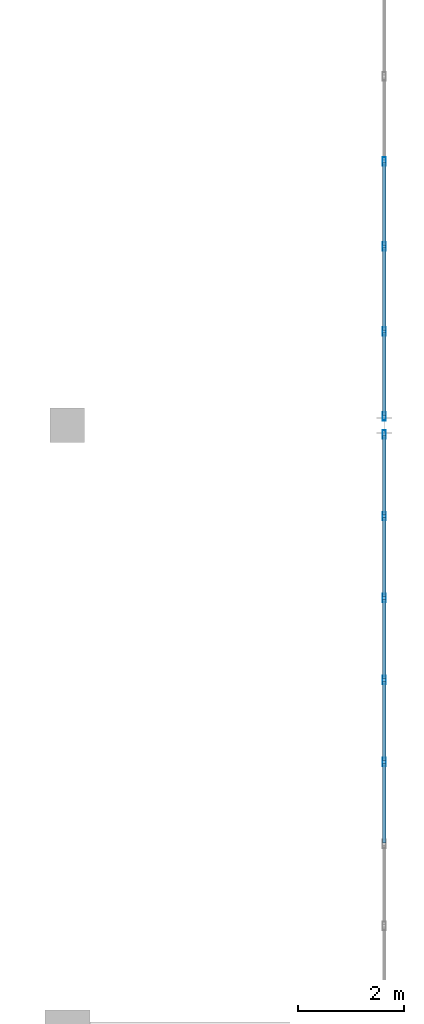
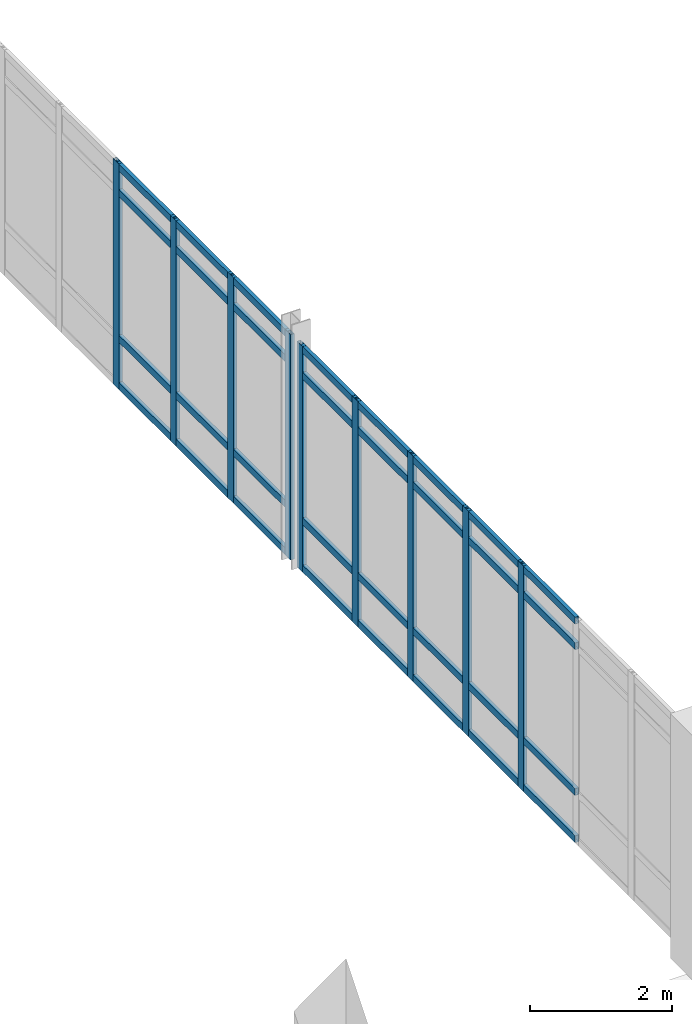
# One storey, part 113 of 161: 41 members, 2 elements without a shape of their own.
"""IFC4 building model written with IfcOpenShell, lengths in metres."""

from ifc_helpers import new_model, si_unit, direction, frame, origin, origin_2d, place, context, subcontext, project, spatial, hollow_rectangle, extrude, material, layer, layer_set, material_profile, profile_set, type_object, element, aggregate, save


model = new_model("IFC4")

# Units and contexts
model_context = context("Model", 3, precision=1e-05, world=origin(), true_north=direction((0.0, 1.0)))
body_context = subcontext(model_context, "Body", "Model", "MODEL_VIEW")
ifc_project = project(units=[si_unit("LENGTHUNIT", "METRE"), si_unit("AREAUNIT", "SQUARE_METRE"), si_unit("VOLUMEUNIT", "CUBIC_METRE"), si_unit("PLANEANGLEUNIT", "RADIAN"), si_unit("MASSUNIT", "GRAM", prefix="KILO")], contexts=[model_context])

# Site, building, storey
site_placement = place(None, origin())
site = spatial("IfcSite", under=ifc_project, at=site_placement, CompositionType="ELEMENT")
building_placement = place(site_placement, origin())
building = spatial("IfcBuilding", under=site, at=building_placement, Name="Mersad Railyard Sports Hall", CompositionType="ELEMENT")
storey_placement = place(building_placement, frame((0.0, 0.0, 4.800048828125)))
storey = spatial("IfcBuildingStorey", under=building, at=storey_placement, Name="L01", CompositionType="ELEMENT", Elevation=4.800048828125)

# Curtain wall, members
ifc_material = material(Name="Aluminium 6063-T6", Category="aluminium")
ifc_layer_1 = layer(ifc_material, 0.159912109375)
ifc_layer_set_1 = layer_set([ifc_layer_1], Name="Aluminium 6063-T6")
curtain_wall_type_1 = type_object("IfcCurtainWallType", Name="ARC-CW-CW19", PredefinedType="USERDEFINED", material=ifc_layer_set_1)
curtain_wall_1_placement = place(storey_placement, origin())
curtain_wall_1 = element("IfcCurtainWall", 1, at=curtain_wall_1_placement, inside=storey, type_object=curtain_wall_type_1, Name="Curtain wall CW19-0058", ObjectType="CURTAIN WALL", PredefinedType="USERDEFINED")
ifc_material_profile_1 = material_profile(ifc_material, hollow_rectangle(XDim=0.06005859375, YDim=0.159912109375, WallThickness=0.00390625, at=origin_2d()), Name="AL MULLION 60x160x4")
ifc_profile_set_1 = profile_set([ifc_material_profile_1], Name="Aluminium 6063-T6")
member_type_1 = type_object("IfcMemberType", Name="ARC-CW-MUL01", PredefinedType="MULLION", material=ifc_profile_set_1)
member_1_placement = place(storey_placement, frame((179.0, 84.830078125, -0.02001953125), z_axis=(0.0, 0.0, 1.0), x_axis=(1.0, 0.0, 0.0)))
member_1 = element("IfcMember", 2, at=member_1_placement, type_object=member_type_1, Name="CW19 Mullion 1", PredefinedType="MULLION", context=body_context, shape_type="SweptSolid", body=[
    extrude(hollow_rectangle(XDim=0.06005859375, YDim=0.159912109375, WallThickness=0.00390625, at=origin_2d()), origin(), (0.0, 0.0, 1.0), 3.869873046875),
])
member_2_placement = place(storey_placement, frame((179.0, 83.278564453125, -0.02001953125), z_axis=(0.0, 0.0, 1.0), x_axis=(1.0, 0.0, 0.0)))
member_2 = element("IfcMember", 3, at=member_2_placement, type_object=member_type_1, Name="CW19 Mullion 2", PredefinedType="MULLION", context=body_context, shape_type="SweptSolid", body=[
    extrude(hollow_rectangle(XDim=0.06005859375, YDim=0.159912109375, WallThickness=0.00390625, at=origin_2d()), origin(), (0.0, 0.0, 1.0), 3.869873046875),
])
member_3_placement = place(storey_placement, frame((179.0, 81.72705078125, -0.02001953125), z_axis=(0.0, 0.0, 1.0), x_axis=(1.0, 0.0, 0.0)))
member_3 = element("IfcMember", 4, at=member_3_placement, type_object=member_type_1, Name="CW19 Mullion 3", PredefinedType="MULLION", context=body_context, shape_type="SweptSolid", body=[
    extrude(hollow_rectangle(XDim=0.06005859375, YDim=0.159912109375, WallThickness=0.00390625, at=origin_2d()), origin(), (0.0, 0.0, 1.0), 3.869873046875),
])
member_4_placement = place(storey_placement, frame((179.0, 80.17578125, -0.02001953125), z_axis=(0.0, 0.0, 1.0), x_axis=(1.0, 0.0, 0.0)))
member_4 = element("IfcMember", 5, at=member_4_placement, type_object=member_type_1, Name="CW19 Mullion 4", PredefinedType="MULLION", context=body_context, shape_type="SweptSolid", body=[
    extrude(hollow_rectangle(XDim=0.06005859375, YDim=0.159912109375, WallThickness=0.00390625, at=origin_2d()), origin(), (0.0, 0.0, 1.0), 3.869873046875),
])
member_5_placement = place(storey_placement, frame((179.0, 78.624267578125, -0.02001953125), z_axis=(0.0, 0.0, 1.0), x_axis=(1.0, 0.0, 0.0)))
member_5 = element("IfcMember", 6, at=member_5_placement, type_object=member_type_1, Name="CW19 Mullion 5", PredefinedType="MULLION", context=body_context, shape_type="SweptSolid", body=[
    extrude(hollow_rectangle(XDim=0.06005859375, YDim=0.159912109375, WallThickness=0.00390625, at=origin_2d()), origin(), (0.0, 0.0, 1.0), 3.869873046875),
])

ifc_layer_2 = layer(ifc_material, 0.159912109375)
ifc_layer_set_2 = layer_set([ifc_layer_2], Name="Aluminium 6063-T6")
curtain_wall_type_2 = type_object("IfcCurtainWallType", Name="ARC-CW-CW22", PredefinedType="USERDEFINED", material=ifc_layer_set_2)
curtain_wall_2_placement = place(storey_placement, origin())
curtain_wall_2 = element("IfcCurtainWall", 7, at=curtain_wall_2_placement, inside=storey, type_object=curtain_wall_type_2, Name="Curtain wall CW22-0061", ObjectType="CURTAIN WALL", PredefinedType="USERDEFINED")
member_6_placement = place(storey_placement, frame((179.0, 90.0, -0.02001953125), z_axis=(0.0, 0.0, 1.0), x_axis=(1.0, 0.0, 0.0)))
member_6 = element("IfcMember", 8, at=member_6_placement, type_object=member_type_1, Name="CW22 Mullion 4", PredefinedType="MULLION", context=body_context, shape_type="SweptSolid", body=[
    extrude(hollow_rectangle(XDim=0.06005859375, YDim=0.159912109375, WallThickness=0.00390625, at=origin_2d()), origin(), (0.0, 0.0, 1.0), 3.869873046875),
])
member_7_placement = place(storey_placement, frame((179.0, 88.389892578125, -0.02001953125), z_axis=(0.0, 0.0, 1.0), x_axis=(1.0, 0.0, 0.0)))
member_7 = element("IfcMember", 9, at=member_7_placement, type_object=member_type_1, Name="CW22 Mullion 5", PredefinedType="MULLION", context=body_context, shape_type="SweptSolid", body=[
    extrude(hollow_rectangle(XDim=0.06005859375, YDim=0.159912109375, WallThickness=0.00390625, at=origin_2d()), origin(), (0.0, 0.0, 1.0), 3.869873046875),
])
member_8_placement = place(storey_placement, frame((179.0, 86.780029296875, -0.02001953125), z_axis=(0.0, 0.0, 1.0), x_axis=(1.0, 0.0, 0.0)))
member_8 = element("IfcMember", 10, at=member_8_placement, type_object=member_type_1, Name="CW22 Mullion 6", PredefinedType="MULLION", context=body_context, shape_type="SweptSolid", body=[
    extrude(hollow_rectangle(XDim=0.06005859375, YDim=0.159912109375, WallThickness=0.00390625, at=origin_2d()), origin(), (0.0, 0.0, 1.0), 3.869873046875),
])
member_9_placement = place(storey_placement, frame((179.0, 85.169921875, -0.02001953125), z_axis=(0.0, 0.0, 1.0), x_axis=(1.0, 0.0, 0.0)))
member_9 = element("IfcMember", 11, at=member_9_placement, type_object=member_type_1, Name="CW22 Mullion 7", PredefinedType="MULLION", context=body_context, shape_type="SweptSolid", body=[
    extrude(hollow_rectangle(XDim=0.06005859375, YDim=0.159912109375, WallThickness=0.00390625, at=origin_2d()), origin(), (0.0, 0.0, 1.0), 3.869873046875),
])

# Member
ifc_material_profile_2 = material_profile(ifc_material, hollow_rectangle(XDim=0.06005859375, YDim=0.1201171875, WallThickness=0.00390625, at=origin_2d()), Name="AL TRANSOM 60x120x4")
ifc_profile_set_2 = profile_set([ifc_material_profile_2], Name="Aluminium 6063-T6")
member_type_2 = type_object("IfcMemberType", Name="ARC-CW-TRN01", PredefinedType="USERDEFINED", material=ifc_profile_set_2)
member_10_placement = place(storey_placement, frame((179.0, 84.81005859375, 0.0400390625), z_axis=(0.0, -1.0, 0.0), x_axis=(1.0, 0.0, 0.0)))
member_10 = element("IfcMember", 12, at=member_10_placement, type_object=member_type_2, Name="CW19 Transom 1-1", ObjectType="TRANSOM", PredefinedType="USERDEFINED", context=body_context, shape_type="SweptSolid", body=[
    extrude(hollow_rectangle(XDim=0.06005859375, YDim=0.1201171875, WallThickness=0.00390625, at=origin_2d()), origin(), (0.0, 0.0, 1.0), 1.511474609375),
])

member_11_placement = place(storey_placement, frame((179.0, 83.258544921875, 0.0400390625), z_axis=(0.0, -1.0, 0.0), x_axis=(1.0, 0.0, 0.0)))
member_11 = element("IfcMember", 13, at=member_11_placement, type_object=member_type_2, Name="CW19 Transom 1-2", ObjectType="TRANSOM", PredefinedType="USERDEFINED", context=body_context, shape_type="SweptSolid", body=[
    extrude(hollow_rectangle(XDim=0.06005859375, YDim=0.1201171875, WallThickness=0.00390625, at=origin_2d()), origin(), (0.0, 0.0, 1.0), 1.511474609375),
])

member_12_placement = place(storey_placement, frame((179.0, 81.70703125, 0.0400390625), z_axis=(0.0, -1.0, 0.0), x_axis=(1.0, 0.0, 0.0)))
member_12 = element("IfcMember", 14, at=member_12_placement, type_object=member_type_2, Name="CW19 Transom 1-3", ObjectType="TRANSOM", PredefinedType="USERDEFINED", context=body_context, shape_type="SweptSolid", body=[
    extrude(hollow_rectangle(XDim=0.06005859375, YDim=0.1201171875, WallThickness=0.00390625, at=origin_2d()), origin(), (0.0, 0.0, 1.0), 1.51123046875),
])

member_13_placement = place(storey_placement, frame((179.0, 80.15576171875, 0.0400390625), z_axis=(0.0, -1.0, 0.0), x_axis=(1.0, 0.0, 0.0)))
member_13 = element("IfcMember", 15, at=member_13_placement, type_object=member_type_2, Name="CW19 Transom 1-4", ObjectType="TRANSOM", PredefinedType="USERDEFINED", context=body_context, shape_type="SweptSolid", body=[
    extrude(hollow_rectangle(XDim=0.06005859375, YDim=0.1201171875, WallThickness=0.00390625, at=origin_2d()), origin(), (0.0, 0.0, 1.0), 1.511474609375),
])

member_14_placement = place(storey_placement, frame((179.0, 78.604248046875, 0.0400390625), z_axis=(0.0, -1.0, 0.0), x_axis=(1.0, 0.0, 0.0)))
member_14 = element("IfcMember", 16, at=member_14_placement, type_object=member_type_2, Name="CW19 Transom 1-5", ObjectType="TRANSOM", PredefinedType="USERDEFINED", context=body_context, shape_type="SweptSolid", body=[
    extrude(hollow_rectangle(XDim=0.06005859375, YDim=0.1201171875, WallThickness=0.00390625, at=origin_2d()), origin(), (0.0, 0.0, 1.0), 1.511474609375),
])

member_15_placement = place(storey_placement, frame((179.0, 84.81005859375, 0.849853515625), z_axis=(0.0, -1.0, 0.0), x_axis=(1.0, 0.0, 0.0)))
member_15 = element("IfcMember", 17, at=member_15_placement, type_object=member_type_2, Name="CW19 Transom 2-1", ObjectType="TRANSOM", PredefinedType="USERDEFINED", context=body_context, shape_type="SweptSolid", body=[
    extrude(hollow_rectangle(XDim=0.06005859375, YDim=0.1201171875, WallThickness=0.00390625, at=origin_2d()), origin(), (0.0, 0.0, 1.0), 1.511474609375),
])

member_16_placement = place(storey_placement, frame((179.0, 83.258544921875, 0.849853515625), z_axis=(0.0, -1.0, 0.0), x_axis=(1.0, 0.0, 0.0)))
member_16 = element("IfcMember", 18, at=member_16_placement, type_object=member_type_2, Name="CW19 Transom 2-2", ObjectType="TRANSOM", PredefinedType="USERDEFINED", context=body_context, shape_type="SweptSolid", body=[
    extrude(hollow_rectangle(XDim=0.06005859375, YDim=0.1201171875, WallThickness=0.00390625, at=origin_2d()), origin(), (0.0, 0.0, 1.0), 1.511474609375),
])

member_17_placement = place(storey_placement, frame((179.0, 81.70703125, 0.849853515625), z_axis=(0.0, -1.0, 0.0), x_axis=(1.0, 0.0, 0.0)))
member_17 = element("IfcMember", 19, at=member_17_placement, type_object=member_type_2, Name="CW19 Transom 2-3", ObjectType="TRANSOM", PredefinedType="USERDEFINED", context=body_context, shape_type="SweptSolid", body=[
    extrude(hollow_rectangle(XDim=0.06005859375, YDim=0.1201171875, WallThickness=0.00390625, at=origin_2d()), origin(), (0.0, 0.0, 1.0), 1.51123046875),
])

member_18_placement = place(storey_placement, frame((179.0, 80.15576171875, 0.849853515625), z_axis=(0.0, -1.0, 0.0), x_axis=(1.0, 0.0, 0.0)))
member_18 = element("IfcMember", 20, at=member_18_placement, type_object=member_type_2, Name="CW19 Transom 2-4", ObjectType="TRANSOM", PredefinedType="USERDEFINED", context=body_context, shape_type="SweptSolid", body=[
    extrude(hollow_rectangle(XDim=0.06005859375, YDim=0.1201171875, WallThickness=0.00390625, at=origin_2d()), origin(), (0.0, 0.0, 1.0), 1.511474609375),
])

member_19_placement = place(storey_placement, frame((179.0, 78.604248046875, 0.849853515625), z_axis=(0.0, -1.0, 0.0), x_axis=(1.0, 0.0, 0.0)))
member_19 = element("IfcMember", 21, at=member_19_placement, type_object=member_type_2, Name="CW19 Transom 2-5", ObjectType="TRANSOM", PredefinedType="USERDEFINED", context=body_context, shape_type="SweptSolid", body=[
    extrude(hollow_rectangle(XDim=0.06005859375, YDim=0.1201171875, WallThickness=0.00390625, at=origin_2d()), origin(), (0.0, 0.0, 1.0), 1.511474609375),
])

member_20_placement = place(storey_placement, frame((179.0, 84.81005859375, 3.349853515625), z_axis=(0.0, -1.0, 0.0), x_axis=(1.0, 0.0, 0.0)))
member_20 = element("IfcMember", 22, at=member_20_placement, type_object=member_type_2, Name="CW19 Transom 3-1", ObjectType="TRANSOM", PredefinedType="USERDEFINED", context=body_context, shape_type="SweptSolid", body=[
    extrude(hollow_rectangle(XDim=0.06005859375, YDim=0.1201171875, WallThickness=0.00390625, at=origin_2d()), origin(), (0.0, 0.0, 1.0), 1.511474609375),
])

member_21_placement = place(storey_placement, frame((179.0, 83.258544921875, 3.349853515625), z_axis=(0.0, -1.0, 0.0), x_axis=(1.0, 0.0, 0.0)))
member_21 = element("IfcMember", 23, at=member_21_placement, type_object=member_type_2, Name="CW19 Transom 3-2", ObjectType="TRANSOM", PredefinedType="USERDEFINED", context=body_context, shape_type="SweptSolid", body=[
    extrude(hollow_rectangle(XDim=0.06005859375, YDim=0.1201171875, WallThickness=0.00390625, at=origin_2d()), origin(), (0.0, 0.0, 1.0), 1.511474609375),
])

member_22_placement = place(storey_placement, frame((179.0, 81.70703125, 3.349853515625), z_axis=(0.0, -1.0, 0.0), x_axis=(1.0, 0.0, 0.0)))
member_22 = element("IfcMember", 24, at=member_22_placement, type_object=member_type_2, Name="CW19 Transom 3-3", ObjectType="TRANSOM", PredefinedType="USERDEFINED", context=body_context, shape_type="SweptSolid", body=[
    extrude(hollow_rectangle(XDim=0.06005859375, YDim=0.1201171875, WallThickness=0.00390625, at=origin_2d()), origin(), (0.0, 0.0, 1.0), 1.51123046875),
])

member_23_placement = place(storey_placement, frame((179.0, 80.15576171875, 3.349853515625), z_axis=(0.0, -1.0, 0.0), x_axis=(1.0, 0.0, 0.0)))
member_23 = element("IfcMember", 25, at=member_23_placement, type_object=member_type_2, Name="CW19 Transom 3-4", ObjectType="TRANSOM", PredefinedType="USERDEFINED", context=body_context, shape_type="SweptSolid", body=[
    extrude(hollow_rectangle(XDim=0.06005859375, YDim=0.1201171875, WallThickness=0.00390625, at=origin_2d()), origin(), (0.0, 0.0, 1.0), 1.511474609375),
])

member_24_placement = place(storey_placement, frame((179.0, 78.604248046875, 3.349853515625), z_axis=(0.0, -1.0, 0.0), x_axis=(1.0, 0.0, 0.0)))
member_24 = element("IfcMember", 26, at=member_24_placement, type_object=member_type_2, Name="CW19 Transom 3-5", ObjectType="TRANSOM", PredefinedType="USERDEFINED", context=body_context, shape_type="SweptSolid", body=[
    extrude(hollow_rectangle(XDim=0.06005859375, YDim=0.1201171875, WallThickness=0.00390625, at=origin_2d()), origin(), (0.0, 0.0, 1.0), 1.511474609375),
])

member_25_placement = place(storey_placement, frame((179.0, 84.81005859375, 3.7900390625), z_axis=(0.0, -1.0, 0.0), x_axis=(1.0, 0.0, 0.0)))
member_25 = element("IfcMember", 27, at=member_25_placement, type_object=member_type_2, Name="CW19 Transom 4-1", ObjectType="TRANSOM", PredefinedType="USERDEFINED", context=body_context, shape_type="SweptSolid", body=[
    extrude(hollow_rectangle(XDim=0.06005859375, YDim=0.1201171875, WallThickness=0.00390625, at=origin_2d()), origin(), (0.0, 0.0, 1.0), 1.511474609375),
])

member_26_placement = place(storey_placement, frame((179.0, 83.258544921875, 3.7900390625), z_axis=(0.0, -1.0, 0.0), x_axis=(1.0, 0.0, 0.0)))
member_26 = element("IfcMember", 28, at=member_26_placement, type_object=member_type_2, Name="CW19 Transom 4-2", ObjectType="TRANSOM", PredefinedType="USERDEFINED", context=body_context, shape_type="SweptSolid", body=[
    extrude(hollow_rectangle(XDim=0.06005859375, YDim=0.1201171875, WallThickness=0.00390625, at=origin_2d()), origin(), (0.0, 0.0, 1.0), 1.511474609375),
])

member_27_placement = place(storey_placement, frame((179.0, 81.70703125, 3.7900390625), z_axis=(0.0, -1.0, 0.0), x_axis=(1.0, 0.0, 0.0)))
member_27 = element("IfcMember", 29, at=member_27_placement, type_object=member_type_2, Name="CW19 Transom 4-3", ObjectType="TRANSOM", PredefinedType="USERDEFINED", context=body_context, shape_type="SweptSolid", body=[
    extrude(hollow_rectangle(XDim=0.06005859375, YDim=0.1201171875, WallThickness=0.00390625, at=origin_2d()), origin(), (0.0, 0.0, 1.0), 1.51123046875),
])

member_28_placement = place(storey_placement, frame((179.0, 80.15576171875, 3.7900390625), z_axis=(0.0, -1.0, 0.0), x_axis=(1.0, 0.0, 0.0)))
member_28 = element("IfcMember", 30, at=member_28_placement, type_object=member_type_2, Name="CW19 Transom 4-4", ObjectType="TRANSOM", PredefinedType="USERDEFINED", context=body_context, shape_type="SweptSolid", body=[
    extrude(hollow_rectangle(XDim=0.06005859375, YDim=0.1201171875, WallThickness=0.00390625, at=origin_2d()), origin(), (0.0, 0.0, 1.0), 1.511474609375),
])

member_29_placement = place(storey_placement, frame((179.0, 78.604248046875, 3.7900390625), z_axis=(0.0, -1.0, 0.0), x_axis=(1.0, 0.0, 0.0)))
member_29 = element("IfcMember", 31, at=member_29_placement, type_object=member_type_2, Name="CW19 Transom 4-5", ObjectType="TRANSOM", PredefinedType="USERDEFINED", context=body_context, shape_type="SweptSolid", body=[
    extrude(hollow_rectangle(XDim=0.06005859375, YDim=0.1201171875, WallThickness=0.00390625, at=origin_2d()), origin(), (0.0, 0.0, 1.0), 1.511474609375),
])

aggregate(curtain_wall_1, [member_1, member_2, member_3, member_4, member_5, member_10, member_11, member_12, member_13, member_14, member_15, member_16, member_17, member_18, member_19, member_20, member_21, member_22, member_23, member_24, member_25, member_26, member_27, member_28, member_29])

member_30_placement = place(storey_placement, frame((179.0, 89.97998046875, 0.0400390625), z_axis=(0.0, -1.0, 0.0), x_axis=(1.0, 0.0, 0.0)))
member_30 = element("IfcMember", 32, at=member_30_placement, type_object=member_type_2, Name="CW22 Transom 1-4", ObjectType="TRANSOM", PredefinedType="USERDEFINED", context=body_context, shape_type="SweptSolid", body=[
    extrude(hollow_rectangle(XDim=0.06005859375, YDim=0.1201171875, WallThickness=0.00390625, at=origin_2d()), origin(), (0.0, 0.0, 1.0), 1.570068359375),
])

member_31_placement = place(storey_placement, frame((179.0, 88.3701171875, 0.0400390625), z_axis=(0.0, -1.0, 0.0), x_axis=(1.0, 0.0, 0.0)))
member_31 = element("IfcMember", 33, at=member_31_placement, type_object=member_type_2, Name="CW22 Transom 1-5", ObjectType="TRANSOM", PredefinedType="USERDEFINED", context=body_context, shape_type="SweptSolid", body=[
    extrude(hollow_rectangle(XDim=0.06005859375, YDim=0.1201171875, WallThickness=0.00390625, at=origin_2d()), origin(), (0.0, 0.0, 1.0), 1.570068359375),
])

member_32_placement = place(storey_placement, frame((179.0, 86.760009765625, 0.0400390625), z_axis=(0.0, -1.0, 0.0), x_axis=(1.0, 0.0, 0.0)))
member_32 = element("IfcMember", 34, at=member_32_placement, type_object=member_type_2, Name="CW22 Transom 1-6", ObjectType="TRANSOM", PredefinedType="USERDEFINED", context=body_context, shape_type="SweptSolid", body=[
    extrude(hollow_rectangle(XDim=0.06005859375, YDim=0.1201171875, WallThickness=0.00390625, at=origin_2d()), origin(), (0.0, 0.0, 1.0), 1.570068359375),
])

member_33_placement = place(storey_placement, frame((179.0, 89.97998046875, 0.849853515625), z_axis=(0.0, -1.0, 0.0), x_axis=(1.0, 0.0, 0.0)))
member_33 = element("IfcMember", 35, at=member_33_placement, type_object=member_type_2, Name="CW22 Transom 2-4", ObjectType="TRANSOM", PredefinedType="USERDEFINED", context=body_context, shape_type="SweptSolid", body=[
    extrude(hollow_rectangle(XDim=0.06005859375, YDim=0.1201171875, WallThickness=0.00390625, at=origin_2d()), origin(), (0.0, 0.0, 1.0), 1.570068359375),
])

member_34_placement = place(storey_placement, frame((179.0, 88.3701171875, 0.849853515625), z_axis=(0.0, -1.0, 0.0), x_axis=(1.0, 0.0, 0.0)))
member_34 = element("IfcMember", 36, at=member_34_placement, type_object=member_type_2, Name="CW22 Transom 2-5", ObjectType="TRANSOM", PredefinedType="USERDEFINED", context=body_context, shape_type="SweptSolid", body=[
    extrude(hollow_rectangle(XDim=0.06005859375, YDim=0.1201171875, WallThickness=0.00390625, at=origin_2d()), origin(), (0.0, 0.0, 1.0), 1.570068359375),
])

member_35_placement = place(storey_placement, frame((179.0, 86.760009765625, 0.849853515625), z_axis=(0.0, -1.0, 0.0), x_axis=(1.0, 0.0, 0.0)))
member_35 = element("IfcMember", 37, at=member_35_placement, type_object=member_type_2, Name="CW22 Transom 2-6", ObjectType="TRANSOM", PredefinedType="USERDEFINED", context=body_context, shape_type="SweptSolid", body=[
    extrude(hollow_rectangle(XDim=0.06005859375, YDim=0.1201171875, WallThickness=0.00390625, at=origin_2d()), origin(), (0.0, 0.0, 1.0), 1.570068359375),
])

member_36_placement = place(storey_placement, frame((179.0, 89.97998046875, 3.349853515625), z_axis=(0.0, -1.0, 0.0), x_axis=(1.0, 0.0, 0.0)))
member_36 = element("IfcMember", 38, at=member_36_placement, type_object=member_type_2, Name="CW22 Transom 3-4", ObjectType="TRANSOM", PredefinedType="USERDEFINED", context=body_context, shape_type="SweptSolid", body=[
    extrude(hollow_rectangle(XDim=0.06005859375, YDim=0.1201171875, WallThickness=0.00390625, at=origin_2d()), origin(), (0.0, 0.0, 1.0), 1.570068359375),
])

member_37_placement = place(storey_placement, frame((179.0, 88.3701171875, 3.349853515625), z_axis=(0.0, -1.0, 0.0), x_axis=(1.0, 0.0, 0.0)))
member_37 = element("IfcMember", 39, at=member_37_placement, type_object=member_type_2, Name="CW22 Transom 3-5", ObjectType="TRANSOM", PredefinedType="USERDEFINED", context=body_context, shape_type="SweptSolid", body=[
    extrude(hollow_rectangle(XDim=0.06005859375, YDim=0.1201171875, WallThickness=0.00390625, at=origin_2d()), origin(), (0.0, 0.0, 1.0), 1.570068359375),
])

member_38_placement = place(storey_placement, frame((179.0, 86.760009765625, 3.349853515625), z_axis=(0.0, -1.0, 0.0), x_axis=(1.0, 0.0, 0.0)))
member_38 = element("IfcMember", 40, at=member_38_placement, type_object=member_type_2, Name="CW22 Transom 3-6", ObjectType="TRANSOM", PredefinedType="USERDEFINED", context=body_context, shape_type="SweptSolid", body=[
    extrude(hollow_rectangle(XDim=0.06005859375, YDim=0.1201171875, WallThickness=0.00390625, at=origin_2d()), origin(), (0.0, 0.0, 1.0), 1.570068359375),
])

member_39_placement = place(storey_placement, frame((179.0, 89.97998046875, 3.7900390625), z_axis=(0.0, -1.0, 0.0), x_axis=(1.0, 0.0, 0.0)))
member_39 = element("IfcMember", 41, at=member_39_placement, type_object=member_type_2, Name="CW22 Transom 4-4", ObjectType="TRANSOM", PredefinedType="USERDEFINED", context=body_context, shape_type="SweptSolid", body=[
    extrude(hollow_rectangle(XDim=0.06005859375, YDim=0.1201171875, WallThickness=0.00390625, at=origin_2d()), origin(), (0.0, 0.0, 1.0), 1.570068359375),
])

member_40_placement = place(storey_placement, frame((179.0, 88.3701171875, 3.7900390625), z_axis=(0.0, -1.0, 0.0), x_axis=(1.0, 0.0, 0.0)))
member_40 = element("IfcMember", 42, at=member_40_placement, type_object=member_type_2, Name="CW22 Transom 4-5", ObjectType="TRANSOM", PredefinedType="USERDEFINED", context=body_context, shape_type="SweptSolid", body=[
    extrude(hollow_rectangle(XDim=0.06005859375, YDim=0.1201171875, WallThickness=0.00390625, at=origin_2d()), origin(), (0.0, 0.0, 1.0), 1.570068359375),
])

member_41_placement = place(storey_placement, frame((179.0, 86.760009765625, 3.7900390625), z_axis=(0.0, -1.0, 0.0), x_axis=(1.0, 0.0, 0.0)))
member_41 = element("IfcMember", 43, at=member_41_placement, type_object=member_type_2, Name="CW22 Transom 4-6", ObjectType="TRANSOM", PredefinedType="USERDEFINED", context=body_context, shape_type="SweptSolid", body=[
    extrude(hollow_rectangle(XDim=0.06005859375, YDim=0.1201171875, WallThickness=0.00390625, at=origin_2d()), origin(), (0.0, 0.0, 1.0), 1.570068359375),
])

aggregate(curtain_wall_2, [member_6, member_7, member_8, member_9, member_30, member_31, member_32, member_33, member_34, member_35, member_36, member_37, member_38, member_39, member_40, member_41])

save(model, "model.ifc")
